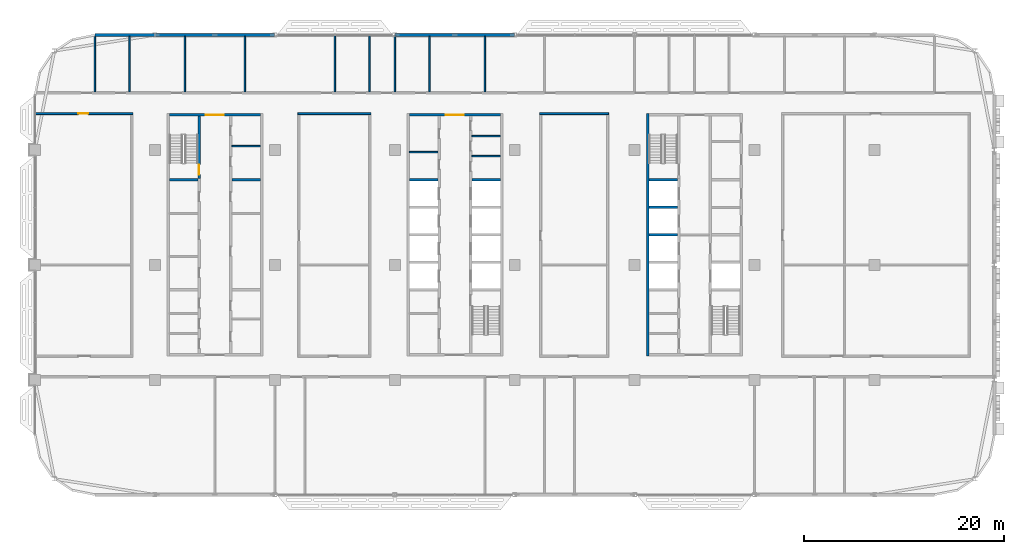
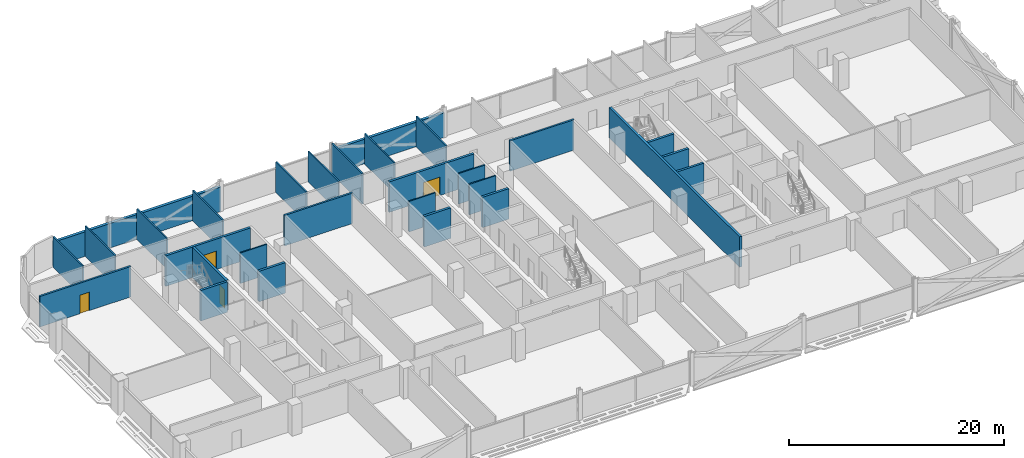
# One storey, part 15 of 30: 30 walls, 4 doors, 4 openings.
"""IFC4 building model written with IfcOpenShell, lengths in metres."""

from ifc_helpers import new_model, si_unit, direction, frame, frame_2d, origin, place, context, subcontext, project, spatial, rectangle, extrude, material, layer, layer_set, type_object, element, fill, save


model = new_model("IFC4")

# Units and contexts
model_context = context("Model", 3, precision=1e-05, world=origin(), true_north=direction((0.0, 1.0)))
body_context = subcontext(model_context, "Body", "Model", "MODEL_VIEW")
ifc_project = project(units=[si_unit("LENGTHUNIT", "METRE"), si_unit("AREAUNIT", "SQUARE_METRE"), si_unit("VOLUMEUNIT", "CUBIC_METRE"), si_unit("PLANEANGLEUNIT", "RADIAN"), si_unit("MASSUNIT", "GRAM", prefix="KILO")], contexts=[model_context])

# Site, building, storey
site_placement = place(None, origin())
site = spatial("IfcSite", under=ifc_project, at=site_placement, CompositionType="ELEMENT")
building_placement = place(site_placement, origin())
building = spatial("IfcBuilding", under=site, at=building_placement, Name="Mahtab Terrace Research Tower", CompositionType="ELEMENT")
storey_placement = place(building_placement, frame((0.0, 0.0, 216.699951171875)))
storey = spatial("IfcBuildingStorey", under=building, at=storey_placement, Name="L52", CompositionType="ELEMENT", Elevation=216.699951171875)

# Walls
ifc_material_1 = material(Name="Gypsum board partition")
ifc_layer_1 = layer(ifc_material_1, 0.14990234375)
ifc_layer_set_1 = layer_set([ifc_layer_1], Name="Core partition 150")
wall_type_1 = type_object("IfcWallType", Name="Core partition 150", PredefinedType="PARTITIONING", material=ifc_layer_set_1)
for number, where, z_axis, x_axis, name in (
    (1, (-22.300048828125, 11.875, 0.0), (0.0, 0.0, 1.0), (1.0, 0.0, 0.0), "Core wall A pEN888"),
    (2, (-4.550048828125, 11.27490234375, 0.0), (0.0, 0.0, 1.0), (1.0, 0.0, 0.0), "Core wall B pWN828"),
    (3, (1.699951171875, 10.875, 0.0), (0.0, 0.0, 1.0), (1.0, 0.0, 0.0), "Core wall B pEN788"),
    (4, (1.699951171875, 12.875, 0.0), (0.0, 0.0, 1.0), (1.0, 0.0, 0.0), "Core wall B pEN988"),
):
    element("IfcWall", number, at=place(storey_placement, frame(where, z_axis=z_axis, x_axis=x_axis)), inside=storey, type_object=wall_type_1, Name=name, PredefinedType="PARTITIONING", context=body_context, shape_type="SweptSolid", body=[
        extrude(rectangle(XDim=2.85009765625, YDim=0.14990234375, at=frame_2d((1.425048828125, 0.0))), origin(), (0.0, 0.0, 1.0), 3.4599609375),
    ])

# Wall, opening, door
ifc_material_2 = material(Name="Concrete C70/85", Category="concrete")
ifc_layer_2 = layer(ifc_material_2, 0.25)
ifc_layer_set_2 = layer_set([ifc_layer_2], Name="Core wall 250")
wall_type_2 = type_object("IfcWallType", Name="Core wall 250", PredefinedType="SOLIDWALL", material=ifc_layer_set_2)
wall_1_placement = place(storey_placement, frame((-28.550048828125, 15.0, 0.0), z_axis=(0.0, 0.0, 1.0), x_axis=(1.0, 0.0, 0.0)))
wall_1 = element("IfcWall", 5, at=wall_1_placement, inside=storey, type_object=wall_type_2, Name="Core wall A endN", PredefinedType="SOLIDWALL", context=body_context, shape_type="SweptSolid", body=[
    extrude(rectangle(XDim=9.10009765625, YDim=0.25, at=frame_2d((4.550048828125, 0.0))), origin(), (0.0, 0.0, 1.0), 3.4599609375),
])
opening_1_placement = place(wall_1_placement, frame((3.64990234375, 0.0, 0.0)))
opening_1 = element("IfcOpeningElement", 6, at=opening_1_placement, cuts=wall_1, Name="Opening A-N1", PredefinedType="OPENING", context=body_context, shape_type="SweptSolid", body=[
    extrude(rectangle(XDim=1.800048828125, YDim=2.10009765625, at=frame_2d((0.89990234375, 1.050048828125))), frame((0.0, 0.135009765625, 0.0), z_axis=(0.0, -1.0, 0.0), x_axis=(1.0, 0.0, 0.0)), (0.0, 0.0, 1.0), 0.27001953125),
])
ifc_material_3 = material(Name="Steel fire door", Category="steel")
door_type_1 = type_object("IfcDoorType", Name="Lobby double door 1800x2100 1 HR", OperationType="DOUBLE_DOOR_SINGLE_SWING", PredefinedType="DOOR", material=ifc_material_3)
door_1_placement = place(opening_1_placement, origin())
door_1 = element("IfcDoor", 7, at=door_1_placement, inside=storey, type_object=door_type_1, Name="Core entrance door A N", OperationType="DOUBLE_DOOR_SINGLE_SWING", OverallHeight=2.10009765625, OverallWidth=1.800048828125, PredefinedType="DOOR", context=body_context, shape_type="SweptSolid", body=[
    extrude(rectangle(XDim=1.800048828125, YDim=2.10009765625, at=frame_2d((0.89990234375, 1.050048828125))), frame((0.0, 0.02490234375, 0.0), z_axis=(0.0, -1.0, 0.0), x_axis=(1.0, 0.0, 0.0)), (0.0, 0.0, 1.0), 0.050048828125),
])
fill(opening_1, door_1)

wall_2_placement = place(storey_placement, frame((-25.574951171875, 14.875, 0.0), z_axis=(0.0, 0.0, 1.0), x_axis=(0.0, -1.0, 0.0)))
wall_2 = element("IfcWall", 8, at=wall_2_placement, inside=storey, type_object=wall_type_2, Name="Core wall A innerWN", PredefinedType="SOLIDWALL", context=body_context, shape_type="SweptSolid", body=[
    extrude(rectangle(XDim=6.25, YDim=0.25, at=frame_2d((3.125, 0.0))), origin(), (0.0, 0.0, 1.0), 3.4599609375),
])
opening_2_placement = place(wall_2_placement, frame((4.85009765625, 0.0, 0.0)))
opening_2 = element("IfcOpeningElement", 9, at=opening_2_placement, cuts=wall_2, Name="Opening A-ST1", PredefinedType="OPENING", context=body_context, shape_type="SweptSolid", body=[
    extrude(rectangle(XDim=1.0, YDim=2.10009765625, at=frame_2d((0.5, 1.050048828125))), frame((0.0, 0.135009765625, 0.0), z_axis=(0.0, -1.0, 0.0), x_axis=(1.0, 0.0, 0.0)), (0.0, 0.0, 1.0), 0.27001953125),
])
door_type_2 = type_object("IfcDoorType", Name="Stair door 1000x2100 1.5 HR", OperationType="NOTDEFINED", PredefinedType="DOOR", material=ifc_material_3)
door_2_placement = place(opening_2_placement, origin())
door_2 = element("IfcDoor", 10, at=door_2_placement, inside=storey, type_object=door_type_2, Name="Stair door ST1 L52", OperationType="SINGLE_SWING_LEFT", OverallHeight=2.10009765625, OverallWidth=1.0, PredefinedType="DOOR", context=body_context, shape_type="SweptSolid", body=[
    extrude(rectangle(XDim=1.0, YDim=2.10009765625, at=frame_2d((0.5, 1.050048828125))), frame((0.0, 0.02490234375, 0.0), z_axis=(0.0, -1.0, 0.0), x_axis=(1.0, 0.0, 0.0)), (0.0, 0.0, 1.0), 0.050048828125),
])
fill(opening_2, door_2)

# Walls
for number, where, z_axis, x_axis, name in (
    (11, (-28.550048828125, 8.5, 0.0), (0.0, 0.0, 1.0), (1.0, 0.0, 0.0), "Core wall A divW4"),
    (12, (-22.300048828125, 8.5, 0.0), (0.0, 0.0, 1.0), (1.0, 0.0, 0.0), "Core wall A divE4"),
):
    element("IfcWall", number, at=place(storey_placement, frame(where, z_axis=z_axis, x_axis=x_axis)), inside=storey, type_object=wall_type_2, Name=name, PredefinedType="SOLIDWALL", context=body_context, shape_type="SweptSolid", body=[
        extrude(rectangle(XDim=2.85009765625, YDim=0.25, at=frame_2d((1.425048828125, 0.0))), origin(), (0.0, 0.0, 1.0), 3.4599609375),
    ])

# Wall, opening, door
wall_3_placement = place(storey_placement, frame((-4.550048828125, 15.0, 0.0), z_axis=(0.0, 0.0, 1.0), x_axis=(1.0, 0.0, 0.0)))
wall_3 = element("IfcWall", 13, at=wall_3_placement, inside=storey, type_object=wall_type_2, Name="Core wall B endN", PredefinedType="SOLIDWALL", context=body_context, shape_type="SweptSolid", body=[
    extrude(rectangle(XDim=9.10009765625, YDim=0.25, at=frame_2d((4.550048828125, 0.0))), origin(), (0.0, 0.0, 1.0), 3.4599609375),
])
opening_3_placement = place(wall_3_placement, frame((3.64990234375, 0.0, 0.0)))
opening_3 = element("IfcOpeningElement", 14, at=opening_3_placement, cuts=wall_3, Name="Opening B-N1", PredefinedType="OPENING", context=body_context, shape_type="SweptSolid", body=[
    extrude(rectangle(XDim=1.800048828125, YDim=2.10009765625, at=frame_2d((0.89990234375, 1.050048828125))), frame((0.0, 0.135009765625, 0.0), z_axis=(0.0, -1.0, 0.0), x_axis=(1.0, 0.0, 0.0)), (0.0, 0.0, 1.0), 0.27001953125),
])
door_3_placement = place(opening_3_placement, origin())
door_3 = element("IfcDoor", 15, at=door_3_placement, inside=storey, type_object=door_type_1, Name="Core entrance door B N", OperationType="DOUBLE_DOOR_SINGLE_SWING", OverallHeight=2.10009765625, OverallWidth=1.800048828125, PredefinedType="DOOR", context=body_context, shape_type="SweptSolid", body=[
    extrude(rectangle(XDim=1.800048828125, YDim=2.10009765625, at=frame_2d((0.89990234375, 1.050048828125))), frame((0.0, 0.02490234375, 0.0), z_axis=(0.0, -1.0, 0.0), x_axis=(1.0, 0.0, 0.0)), (0.0, 0.0, 1.0), 0.050048828125),
])
fill(opening_3, door_3)

# Walls
for number, where, z_axis, x_axis, name in (
    (16, (-4.550048828125, 8.5, 0.0), (0.0, 0.0, 1.0), (1.0, 0.0, 0.0), "Core wall B divW4"),
    (17, (1.699951171875, 8.5, 0.0), (0.0, 0.0, 1.0), (1.0, 0.0, 0.0), "Core wall B divE4"),
):
    element("IfcWall", number, at=place(storey_placement, frame(where, z_axis=z_axis, x_axis=x_axis)), inside=storey, type_object=wall_type_2, Name=name, PredefinedType="SOLIDWALL", context=body_context, shape_type="SweptSolid", body=[
        extrude(rectangle(XDim=2.85009765625, YDim=0.25, at=frame_2d((1.425048828125, 0.0))), origin(), (0.0, 0.0, 1.0), 3.4599609375),
    ])
wall_4_placement = place(storey_placement, frame((19.324951171875, 15.125, 0.0), z_axis=(0.0, 0.0, 1.0), x_axis=(0.0, -1.0, 0.0)))
element("IfcWall", 18, at=wall_4_placement, inside=storey, type_object=wall_type_2, Name="Core wall C outerW", PredefinedType="SOLIDWALL", context=body_context, shape_type="SweptSolid", body=[
    extrude(rectangle(XDim=24.25, YDim=0.25, at=frame_2d((12.125, 0.0))), origin(), (0.0, 0.0, 1.0), 3.4599609375),
])
for number, where, z_axis, x_axis, name in (
    (19, (19.449951171875, 3.0, 0.0), (0.0, 0.0, 1.0), (1.0, 0.0, 0.0), "Core wall C divW2"),
    (20, (19.449951171875, 5.75, 0.0), (0.0, 0.0, 1.0), (1.0, 0.0, 0.0), "Core wall C divW3"),
    (21, (19.449951171875, 8.5, 0.0), (0.0, 0.0, 1.0), (1.0, 0.0, 0.0), "Core wall C divW4"),
):
    element("IfcWall", number, at=place(storey_placement, frame(where, z_axis=z_axis, x_axis=x_axis)), inside=storey, type_object=wall_type_2, Name=name, PredefinedType="SOLIDWALL", context=body_context, shape_type="SweptSolid", body=[
        extrude(rectangle(XDim=2.85009765625, YDim=0.25, at=frame_2d((1.425048828125, 0.0))), origin(), (0.0, 0.0, 1.0), 3.4599609375),
    ])
ifc_material_4 = material(Name="Black aluminium cladding panel", Category="aluminium")
ifc_layer_3 = layer(ifc_material_4, 0.300048828125)
ifc_layer_set_3 = layer_set([ifc_layer_3], Name="Opaque facade wall 300")
wall_type_3 = type_object("IfcWallType", Name="Opaque facade wall 300", PredefinedType="NOTDEFINED", material=ifc_layer_set_3)
for number, where, z_axis, x_axis, name in (
    (22, (5.987548828125, 23.0, 0.0), (0.0, 0.0, 1.0), (-1.0, 0.0, 0.0), "Opaque facade wall L52 N7"),
    (23, (-18.012451171875, 23.0, 0.0), (0.0, 0.0, 1.0), (-1.0, 0.0, 0.0), "Opaque facade wall L52 N9"),
):
    element("IfcWall", number, at=place(storey_placement, frame(where, z_axis=z_axis, x_axis=x_axis)), inside=storey, type_object=wall_type_3, Name=name, PredefinedType="NOTDEFINED", context=body_context, shape_type="SweptSolid", body=[
        extrude(rectangle(XDim=11.97509765625, YDim=0.300048828125, at=frame_2d((5.987548828125, 0.0))), origin(), (0.0, 0.0, 1.0), 2.78173828125),
    ])
wall_5_placement = place(storey_placement, frame((-30.012451171875, 23.0, 0.0), z_axis=(0.0, 0.0, 1.0), x_axis=(-1.0, 0.0, 0.0)))
element("IfcWall", 24, at=wall_5_placement, inside=storey, type_object=wall_type_3, Name="Opaque facade wall L52 N10", PredefinedType="NOTDEFINED", context=body_context, shape_type="SweptSolid", body=[
    extrude(rectangle(XDim=5.987548828125, YDim=0.300048828125, at=frame_2d((2.99365234375, 0.0))), origin(), (0.0, 0.0, 1.0), 2.78173828125),
])

# Wall, opening, door
ifc_material_5 = material(Name="Gypsum board corridor wall on steel studs", Category="steel")
ifc_layer_4 = layer(ifc_material_5, 0.199951171875)
ifc_layer_set_4 = layer_set([ifc_layer_4], Name="WALL CORRIDOR 200")
wall_type_4 = type_object("IfcWallType", Name="WALL CORRIDOR 200", PredefinedType="PARTITIONING", material=ifc_layer_set_4)
wall_6_placement = place(storey_placement, frame((-41.97509765625, 15.125, 0.0), z_axis=(0.0, 0.0, 1.0), x_axis=(1.0, 0.0, 0.0)))
wall_6 = element("IfcWall", 25, at=wall_6_placement, inside=storey, type_object=wall_type_4, Name="L52-W018", PredefinedType="PARTITIONING", context=body_context, shape_type="SweptSolid", body=[
    extrude(rectangle(XDim=9.775146484375, YDim=0.199951171875, at=frame_2d((4.8876953125, 0.0))), origin(), (0.0, 0.0, 1.0), 3.4599609375),
])
opening_4_placement = place(wall_6_placement, frame((4.300048828125, 0.0, 0.0)))
opening_4 = element("IfcOpeningElement", 26, at=opening_4_placement, cuts=wall_6, Name="Opening L52-116", PredefinedType="OPENING", context=body_context, shape_type="SweptSolid", body=[
    extrude(rectangle(XDim=1.0, YDim=2.10009765625, at=frame_2d((0.5, 1.050048828125))), frame((0.0, 0.10986328125, 0.0), z_axis=(0.0, -1.0, 0.0), x_axis=(1.0, 0.0, 0.0)), (0.0, 0.0, 1.0), 0.219970703125),
])
ifc_material_6 = material(Name="Timber door leaf in steel frame", Category="steel")
door_type_3 = type_object("IfcDoorType", Name="DOOR 1000X2100 FD30S", OperationType="SINGLE_SWING_LEFT", PredefinedType="DOOR", material=ifc_material_6)
door_4_placement = place(opening_4_placement, origin())
door_4 = element("IfcDoor", 27, at=door_4_placement, inside=storey, type_object=door_type_3, Name="Door L52-116", OperationType="SINGLE_SWING_RIGHT", OverallHeight=2.10009765625, OverallWidth=1.0, PredefinedType="DOOR", context=body_context, shape_type="SweptSolid", body=[
    extrude(rectangle(XDim=1.0, YDim=2.10009765625, at=frame_2d((0.5, 1.050048828125))), frame((0.0, 0.02490234375, 0.0), z_axis=(0.0, -1.0, 0.0), x_axis=(1.0, 0.0, 0.0)), (0.0, 0.0, 1.0), 0.050048828125),
])
fill(opening_4, door_4)

# Walls
wall_7_placement = place(storey_placement, frame((-15.699951171875, 15.125, 0.0), z_axis=(0.0, 0.0, 1.0), x_axis=(1.0, 0.0, 0.0)))
element("IfcWall", 28, at=wall_7_placement, inside=storey, type_object=wall_type_4, Name="L52-W019", PredefinedType="PARTITIONING", context=body_context, shape_type="SweptSolid", body=[
    extrude(rectangle(XDim=7.300048828125, YDim=0.199951171875, at=frame_2d((3.64990234375, 0.0))), origin(), (0.0, 0.0, 1.0), 3.4599609375),
])
wall_8_placement = place(storey_placement, frame((8.5, 15.125, 0.0), z_axis=(0.0, 0.0, 1.0), x_axis=(1.0, 0.0, 0.0)))
element("IfcWall", 29, at=wall_8_placement, inside=storey, type_object=wall_type_4, Name="L52-W020", PredefinedType="PARTITIONING", context=body_context, shape_type="SweptSolid", body=[
    extrude(rectangle(XDim=6.89990234375, YDim=0.199951171875, at=frame_2d((3.449951171875, 0.0))), origin(), (0.0, 0.0, 1.0), 3.4599609375),
])
ifc_material_7 = material(Name="Gypsum board partition on steel studs", Category="steel")
ifc_layer_5 = layer(ifc_material_7, 0.14990234375)
ifc_layer_set_5 = layer_set([ifc_layer_5], Name="WALL PARTITION 150")
wall_type_5 = type_object("IfcWallType", Name="WALL PARTITION 150", PredefinedType="PARTITIONING", material=ifc_layer_set_5)
wall_9_placement = place(storey_placement, frame((-36.0, 17.300048828125, 0.0), z_axis=(0.0, 0.0, 1.0), x_axis=(0.0, 1.0, 0.0)))
element("IfcWall", 30, at=wall_9_placement, inside=storey, type_object=wall_type_5, Name="L52-W023", PredefinedType="PARTITIONING", context=body_context, shape_type="SweptSolid", body=[
    extrude(rectangle(XDim=5.547119140625, YDim=0.14990234375, at=frame_2d((2.7734375, 0.0))), origin(), (0.0, 0.0, 1.0), 3.4599609375),
])
for number, where, z_axis, x_axis, name in (
    (31, (-32.550048828125, 17.300048828125, 0.0), (0.0, 0.0, 1.0), (0.0, 1.0, 0.0), "L52-W024"),
    (32, (-27.0, 17.300048828125, 0.0), (0.0, 0.0, 1.0), (0.0, 1.0, 0.0), "L52-W026"),
    (33, (-21.0, 17.300048828125, 0.0), (0.0, 0.0, 1.0), (0.0, 1.0, 0.0), "L52-W028"),
):
    element("IfcWall", number, at=place(storey_placement, frame(where, z_axis=z_axis, x_axis=x_axis)), inside=storey, type_object=wall_type_5, Name=name, PredefinedType="PARTITIONING", context=body_context, shape_type="SweptSolid", body=[
        extrude(rectangle(XDim=5.550048828125, YDim=0.14990234375, at=frame_2d((2.77490234375, 0.0))), origin(), (0.0, 0.0, 1.0), 3.4599609375),
    ])
for number, where, z_axis, x_axis, name in (
    (34, (-12.0, 17.300048828125, 0.0), (0.0, 0.0, 1.0), (0.0, 1.0, 0.0), "L52-W032"),
    (35, (-8.550048828125, 17.300048828125, 0.0), (0.0, 0.0, 1.0), (0.0, 1.0, 0.0), "L52-W033"),
    (36, (-6.0, 17.300048828125, 0.0), (0.0, 0.0, 1.0), (0.0, 1.0, 0.0), "L52-W035"),
):
    element("IfcWall", number, at=place(storey_placement, frame(where, z_axis=z_axis, x_axis=x_axis)), inside=storey, type_object=wall_type_5, Name=name, PredefinedType="PARTITIONING", context=body_context, shape_type="SweptSolid", body=[
        extrude(rectangle(XDim=5.675048828125, YDim=0.14990234375, at=frame_2d((2.83740234375, 0.0))), origin(), (0.0, 0.0, 1.0), 3.4599609375),
    ])
for number, where, z_axis, x_axis, name in (
    (37, (-2.550048828125, 17.300048828125, 0.0), (0.0, 0.0, 1.0), (0.0, 1.0, 0.0), "L52-W036"),
    (38, (3.0, 17.300048828125, 0.0), (0.0, 0.0, 1.0), (0.0, 1.0, 0.0), "L52-W038"),
):
    element("IfcWall", number, at=place(storey_placement, frame(where, z_axis=z_axis, x_axis=x_axis)), inside=storey, type_object=wall_type_5, Name=name, PredefinedType="PARTITIONING", context=body_context, shape_type="SweptSolid", body=[
        extrude(rectangle(XDim=5.550048828125, YDim=0.14990234375, at=frame_2d((2.77490234375, 0.0))), origin(), (0.0, 0.0, 1.0), 3.4599609375),
    ])

save(model, "model.ifc")
